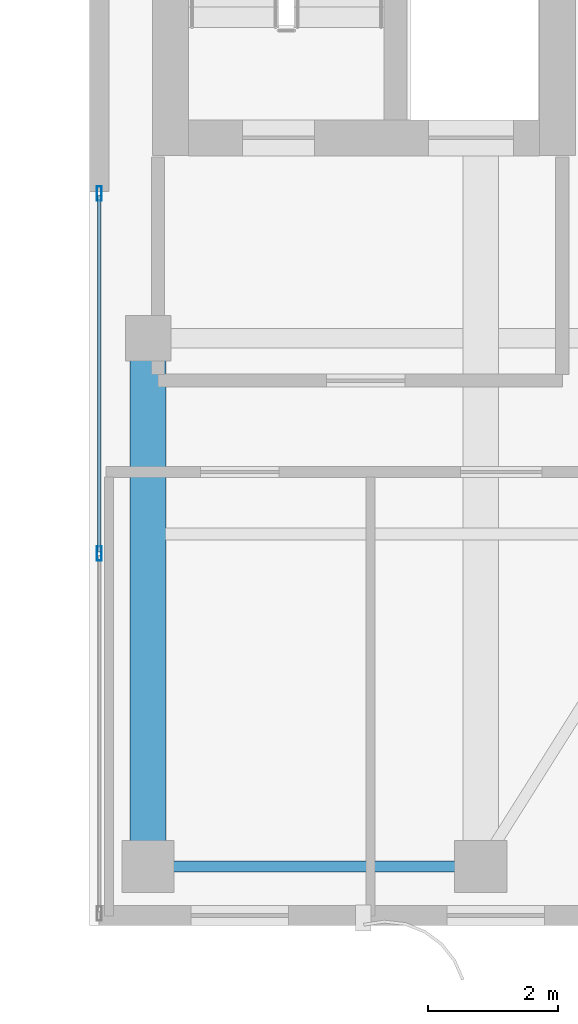
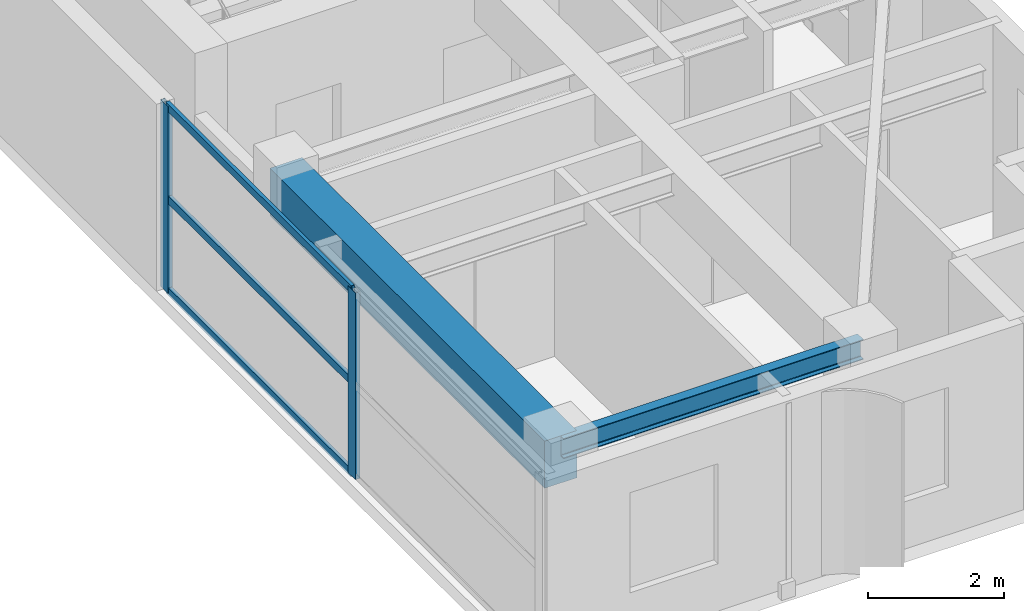
# One storey, part 5 of 24: 5 members, 2 beams, 1 element without a shape of its own.
"""IFC4 building model written with IfcOpenShell, lengths in metres."""

import ifcopenshell
import ifcopenshell.guid

model = None  # the IFC model being written
_history = None  # IfcOwnerHistory: only IFC2X3 demands one
_inside = {}  # id of a spatial element -> (the spatial element, [elements in it])
_under = {}  # id of a project, library or spatial element -> (it, [spatial elements below it])
_declared = {}  # id of a project -> (the project, [libraries it declares])
_typed = {}  # id of a type object -> (the type object, [elements of that type])
_made_of = {}  # id of a material, layer set ... -> (it, [elements and type objects made of it])


def new_model(schema):
    """Start an empty IFC model of exactly this schema.

    Asked for "IFC4X3", IfcOpenShell would pick the latest addendum, in which some entities
    have other attributes; the version numbers below select the first issue.
    IFC2X3 requires an IfcOwnerHistory on every rooted entity: one is made here for all.
    """
    global model, _history
    if schema == "IFC4X3":
        model = ifcopenshell.file(schema_version=(4, 3, 0, 0))
    else:
        model = ifcopenshell.file(schema=schema)
    _inside.clear()
    _under.clear()
    _declared.clear()
    _typed.clear()
    _made_of.clear()
    _history = None
    if model.schema == "IFC2X3":
        org = make("IfcOrganization", Name="unknown")
        user = make(
            "IfcPersonAndOrganization",
            ThePerson=make("IfcPerson", FamilyName="unknown"),
            TheOrganization=org,
        )
        app = make(
            "IfcApplication",
            ApplicationDeveloper=org,
            Version="unknown",
            ApplicationFullName="unknown",
            ApplicationIdentifier="unknown",
        )
        _history = make(
            "IfcOwnerHistory",
            OwningUser=user,
            OwningApplication=app,
            ChangeAction="ADDED",
            CreationDate=0,
        )
    return model


def make(cls, **values):
    """One entity of the class cls with the attributes given. An attribute that is None is left unset."""
    return model.create_entity(
        cls, **{name: value for name, value in values.items() if value is not None}
    )


def rooted(cls, **values):
    """An entity with a GlobalId (a new one), such as an element, a storey or a relation."""
    return make(cls, GlobalId=ifcopenshell.guid.new(), OwnerHistory=_history, **values)


def si_unit(unit_type, name, prefix=None):
    """IfcSIUnit, for example si_unit("LENGTHUNIT", "METRE", prefix="MILLI")."""
    return make("IfcSIUnit", UnitType=unit_type, Prefix=prefix, Name=name)


def assignment(units):
    """IfcUnitAssignment: the units of a project."""
    return None if units is None else make("IfcUnitAssignment", Units=units)


def point(xyz):
    """IfcCartesianPoint."""
    return None if xyz is None else make("IfcCartesianPoint", Coordinates=xyz)


def direction(xyz):
    """IfcDirection."""
    return None if xyz is None else make("IfcDirection", DirectionRatios=xyz)


def frame(location, z_axis=None, x_axis=None):
    """IfcAxis2Placement3D, a coordinate frame: its origin and axes. An axis left out is left unset."""
    return make(
        "IfcAxis2Placement3D",
        Location=point(location),
        Axis=direction(z_axis),
        RefDirection=direction(x_axis),
    )


def frame_2d(location, x_axis=None):
    """IfcAxis2Placement2D, a coordinate frame in the plane: its origin and x axis."""
    return make(
        "IfcAxis2Placement2D", Location=point(location), RefDirection=direction(x_axis)
    )


def origin():
    """The frame at (0, 0, 0) with its axes left unset."""
    return frame((0.0, 0.0, 0.0))


def origin_2d():
    """The frame at (0, 0) in the plane with its x axis left unset."""
    return frame_2d((0.0, 0.0))


def place(relative_to, where):
    """IfcLocalPlacement: puts the frame where relative to a parent placement (None: the world)."""
    return make(
        "IfcLocalPlacement", PlacementRelTo=relative_to, RelativePlacement=where
    )


def context(
    kind, dimensions, precision=None, world=None, true_north=None, identifier=None
):
    """IfcGeometricRepresentationContext, for example the 3D "Model" context."""
    return make(
        "IfcGeometricRepresentationContext",
        ContextIdentifier=identifier,
        ContextType=kind,
        CoordinateSpaceDimension=dimensions,
        Precision=precision,
        WorldCoordinateSystem=world,
        TrueNorth=true_north,
    )


def subcontext(parent, identifier, kind, view, scale=None):
    """IfcGeometricRepresentationSubContext, for example "Body" below "Model"."""
    return make(
        "IfcGeometricRepresentationSubContext",
        ContextIdentifier=identifier,
        ContextType=kind,
        ParentContext=parent,
        TargetScale=scale,
        TargetView=view,
    )


def project(units=None, contexts=None):
    """IfcProject with its units and contexts."""
    return rooted(
        "IfcProject",
        Name="project",
        RepresentationContexts=contexts,
        UnitsInContext=assignment(units),
    )


def spatial(cls, under=None, at=None, **own):
    """A site, building, storey or space (cls), placed at a placement, below another one or the project."""
    s = rooted(cls, ObjectPlacement=at, **own)
    if under is not None:
        _under.setdefault(under.id(), (under, []))[1].append(s)
    return s


def profile(cls, at=None, kind="AREA", **sizes):
    """A parametric profile (cls). Its sizes go by their IFC names, for example OverallWidth=200.0."""
    return make(cls, ProfileType=kind, Position=at, **sizes)


def rectangle(**sizes):
    """IfcRectangleProfileDef."""
    return profile("IfcRectangleProfileDef", **sizes)


def hollow_rectangle(**sizes):
    """IfcRectangleHollowProfileDef."""
    return profile("IfcRectangleHollowProfileDef", **sizes)


def i_section(**sizes):
    """IfcIShapeProfileDef."""
    return profile("IfcIShapeProfileDef", **sizes)


def extrude(swept, where, along, depth):
    """IfcExtrudedAreaSolid: the profile swept, set in the frame where, extruded along a direction by depth."""
    return make(
        "IfcExtrudedAreaSolid",
        SweptArea=swept,
        Position=where,
        ExtrudedDirection=direction(along),
        Depth=depth,
    )


def shape(context_of_items, identifier, shape_type, items):
    """IfcShapeRepresentation: the items that make up one representation, for example the "Body"."""
    return make(
        "IfcShapeRepresentation",
        ContextOfItems=context_of_items,
        RepresentationIdentifier=identifier,
        RepresentationType=shape_type,
        Items=items,
    )


def source(mapping_origin, context_of_items, identifier, shape_type, items):
    """IfcRepresentationMap: a shape defined once, which mapped items show again and again."""
    return make(
        "IfcRepresentationMap",
        MappingOrigin=mapping_origin,
        MappedRepresentation=shape(context_of_items, identifier, shape_type, items),
    )


def transform(
    local_origin,
    x_axis=None,
    y_axis=None,
    z_axis=None,
    scale=None,
    scale2=None,
    scale3=None,
    uniform=True,
):
    """IfcCartesianTransformationOperator3D, or its non-uniform kind. x_axis, y_axis, z_axis: its Axis1, 2, 3."""
    if uniform:
        return make(
            "IfcCartesianTransformationOperator3D",
            Axis1=direction(x_axis),
            Axis2=direction(y_axis),
            LocalOrigin=point(local_origin),
            Scale=scale,
            Axis3=direction(z_axis),
        )
    return make(
        "IfcCartesianTransformationOperator3DnonUniform",
        Axis1=direction(x_axis),
        Axis2=direction(y_axis),
        LocalOrigin=point(local_origin),
        Scale=scale,
        Axis3=direction(z_axis),
        Scale2=scale2,
        Scale3=scale3,
    )


def mapped(mapping_source, mapping_target):
    """IfcMappedItem: shows the shape of a source again, moved by a transform."""
    return make(
        "IfcMappedItem", MappingSource=mapping_source, MappingTarget=mapping_target
    )


def material(Name=None, Category=None):
    """IfcMaterial."""
    return make("IfcMaterial", Name=Name, Category=Category)


def layer(
    of_material, thickness, ventilated=None, Name=None, Category=None, Priority=None
):
    """IfcMaterialLayer: one layer of a wall or slab, of a material (None: an air gap)."""
    return make(
        "IfcMaterialLayer",
        Material=of_material,
        LayerThickness=thickness,
        IsVentilated=ventilated,
        Name=Name,
        Category=Category,
        Priority=Priority,
    )


def layer_set(layers, Name=None):
    """IfcMaterialLayerSet."""
    return make("IfcMaterialLayerSet", MaterialLayers=layers, LayerSetName=Name)


def material_profile(
    of_material, cross_section, Name=None, Category=None, Priority=None
):
    """IfcMaterialProfile: a cross section and its material."""
    return make(
        "IfcMaterialProfile",
        Name=Name,
        Material=of_material,
        Profile=cross_section,
        Priority=Priority,
        Category=Category,
    )


def profile_set(profiles, Name=None, composite=None):
    """IfcMaterialProfileSet."""
    return make(
        "IfcMaterialProfileSet",
        Name=Name,
        MaterialProfiles=profiles,
        CompositeProfile=composite,
    )


def made_of(thing, what):
    """Note that an element or type object is made of a material, layer set ...; save() writes the relation."""
    if what is not None:
        _made_of.setdefault(what.id(), (what, []))[1].append(thing)
    return thing


def type_object(cls, material=None, **own):
    """A type object (cls), such as IfcWallType, which elements share."""
    return made_of(rooted(cls, **own), material)


def element(
    cls,
    number,
    at=None,
    inside=None,
    cuts=None,
    type_object=None,
    material=None,
    context=None,
    identifier="Body",
    shape_type=None,
    held_by="IfcProductDefinitionShape",
    body=None,
    shapes=None,
    **own,
):
    """One element of the class cls, such as IfcWall. Its Tag is "e" and its number.

    at: its placement. inside: the storey or other place that contains it. cuts: it is an
    opening in that element (IfcRelVoidsElement). A single representation is given by context,
    identifier, shape_type and body (its items); several are given by shapes. held_by: the class
    of the entity that holds the representations. save() writes the other relations.
    """
    e = rooted(cls, Tag="e%d" % number, ObjectPlacement=at, **own)
    if body is not None:
        shapes = [shape(context, identifier, shape_type, body)]
    if shapes is not None:
        e.Representation = make(held_by, Representations=shapes)
    if inside is not None:
        _inside.setdefault(inside.id(), (inside, []))[1].append(e)
    if cuts is not None:
        rooted(
            "IfcRelVoidsElement", RelatingBuildingElement=cuts, RelatedOpeningElement=e
        )
    if type_object is not None:
        _typed.setdefault(type_object.id(), (type_object, []))[1].append(e)
    return made_of(e, material)


def aggregate(whole, parts):
    """IfcRelAggregates: a whole, such as a stair, and the parts it consists of."""
    return rooted("IfcRelAggregates", RelatingObject=whole, RelatedObjects=parts)


def save(model, path):
    """Write the relations noted so far, then the file.

    IfcRelAggregates (storeys below a building ...), IfcRelContainedInSpatialStructure (elements
    in a storey), IfcRelDefinesByType, IfcRelAssociatesMaterial and IfcRelDeclares: one each for
    every whole, place, type object, material and project.
    """
    for whole, parts in _under.values():
        aggregate(whole, parts)
    for where, things in _inside.values():
        rooted(
            "IfcRelContainedInSpatialStructure",
            RelatedElements=things,
            RelatingStructure=where,
        )
    for kind, things in _typed.values():
        rooted("IfcRelDefinesByType", RelatedObjects=things, RelatingType=kind)
    for what, things in _made_of.values():
        rooted("IfcRelAssociatesMaterial", RelatedObjects=things, RelatingMaterial=what)
    for by, libraries in _declared.values():
        rooted("IfcRelDeclares", RelatingContext=by, RelatedDefinitions=libraries)
    model.write(path)


model = new_model("IFC4")

# Units and contexts
model_context = context("Model", 3, precision=1e-05, world=origin(), true_north=direction((0.0, 1.0)))
body_context = subcontext(model_context, "Body", "Model", "MODEL_VIEW")
ifc_project = project(units=[si_unit("LENGTHUNIT", "METRE"), si_unit("AREAUNIT", "SQUARE_METRE"), si_unit("VOLUMEUNIT", "CUBIC_METRE"), si_unit("PLANEANGLEUNIT", "RADIAN"), si_unit("MASSUNIT", "GRAM", prefix="KILO")], contexts=[model_context])

# Site, building, storey
site_placement = place(None, origin())
site = spatial("IfcSite", under=ifc_project, at=site_placement, CompositionType="ELEMENT")
building_placement = place(site_placement, origin())
building = spatial("IfcBuilding", under=site, at=building_placement, Name="Khoralis Quay Care Tower", CompositionType="ELEMENT")
storey_placement = place(building_placement, frame((0.0, 0.0, 249.300048828125)))
storey = spatial("IfcBuildingStorey", under=building, at=storey_placement, Name="L65", CompositionType="ELEMENT", Elevation=249.300048828125)

# Beams
ifc_material_1 = material(Name="Steel S355", Category="steel")
ifc_material_profile_1 = material_profile(ifc_material_1, i_section(OverallWidth=0.169921875, OverallDepth=0.360107421875, WebThickness=0.008056640625, FlangeThickness=0.0126953125, FilletRadius=0.01806640625, at=origin_2d()), Name="Steel S355")
ifc_profile_set_1 = profile_set([ifc_material_profile_1], Name="Steel S355")
beam_type_1 = type_object("IfcBeamType", Name="BM-IPE360", PredefinedType="SPANDREL", material=ifc_profile_set_1)
shared_shape_1 = source(origin(), body_context, "Body", "SweptSolid", [
    extrude(i_section(OverallWidth=0.169921875, OverallDepth=0.360107421875, WebThickness=0.008056640625, FlangeThickness=0.0126953125, FilletRadius=0.01806640625, at=origin_2d()), origin(), (0.0, 0.0, 1.0), 5.10009765625),
])
beam_1_placement = place(storey_placement, frame((30.89990234375, 3.89990234375, 3.179931640625), z_axis=(1.0, 0.0, 0.0), x_axis=(0.0, 1.0, 0.0)))
element("IfcBeam", 1, at=beam_1_placement, inside=storey, type_object=beam_type_1, Name="BM-TSP-L65-02", PredefinedType="SPANDREL", context=body_context, shape_type="MappedRepresentation", body=[
    mapped(shared_shape_1, transform((0.0, 0.0, 0.0), scale=1.0)),
])
ifc_material_2 = material(Name="Concrete C50/60", Category="concrete")
ifc_material_profile_2 = material_profile(ifc_material_2, rectangle(XDim=0.550048828125, YDim=0.85009765625, at=origin_2d()), Name="Concrete C50/60")
ifc_profile_set_2 = profile_set([ifc_material_profile_2], Name="Concrete C50/60")
beam_type_2 = type_object("IfcBeamType", Name="BM-RC550X850", PredefinedType="BEAM", material=ifc_profile_set_2)
shared_shape_2 = source(origin(), body_context, "Body", "SweptSolid", [
    extrude(rectangle(XDim=0.550048828125, YDim=0.85009765625, at=origin_2d()), origin(), (0.0, 0.0, 1.0), 8.10009765625),
])
beam_2_placement = place(storey_placement, frame((30.89990234375, 3.89990234375, 2.93505859375), z_axis=(0.0, 1.0, 0.0), x_axis=(-1.0, 0.0, 0.0)))
element("IfcBeam", 2, at=beam_2_placement, inside=storey, type_object=beam_type_2, Name="BM-TGYS-L65-309", PredefinedType="BEAM", context=body_context, shape_type="MappedRepresentation", body=[
    mapped(shared_shape_2, transform((0.0, 0.0, 0.0), scale=1.0)),
])

# Curtain wall, members
ifc_material_3 = material(Name="Pale anodised aluminium", Category="aluminium")
ifc_layer = layer(ifc_material_3, 0.18994140625)
ifc_layer_set = layer_set([ifc_layer], Name="Pale anodised aluminium")
curtain_wall_type = type_object("IfcCurtainWallType", Name="CW-SYS-PORTAL", PredefinedType="NOTDEFINED", material=ifc_layer_set)
curtain_wall_placement = place(storey_placement, origin())
curtain_wall = element("IfcCurtainWall", 3, at=curtain_wall_placement, inside=storey, type_object=curtain_wall_type, Name="L65 Unitised Curtain Wall CW-VP-L65-P2-S", PredefinedType="NOTDEFINED")
ifc_material_profile_3 = material_profile(ifc_material_3, hollow_rectangle(XDim=0.06005859375, YDim=0.139892578125, WallThickness=0.00390625, at=origin_2d()), Name="Pale anodised aluminium")
ifc_profile_set_3 = profile_set([ifc_material_profile_3], Name="Pale anodised aluminium")
member_type_1 = type_object("IfcMemberType", Name="CW-TRN-140", PredefinedType="USERDEFINED", material=ifc_profile_set_3)
shared_shape_3 = source(origin(), body_context, "Body", "SweptSolid", [
    extrude(hollow_rectangle(XDim=0.06005859375, YDim=0.139892578125, WallThickness=0.00390625, at=origin_2d()), origin(), (0.0, 0.0, 1.0), 5.4599609375),
])
member_1_placement = place(storey_placement, frame((30.14990234375, 8.72998046875, 0.030029296875), z_axis=(0.0, 1.0, 0.0), x_axis=(-1.0, 0.0, 0.0)))
member_1 = element("IfcMember", 4, at=member_1_placement, type_object=member_type_1, Name="CW4 transom 2.1", ObjectType="TRANSOM", PredefinedType="USERDEFINED", context=body_context, shape_type="MappedRepresentation", body=[
    mapped(shared_shape_3, transform((0.0, 0.0, 0.0), scale=1.0)),
])
member_2_placement = place(storey_placement, frame((30.14990234375, 8.72998046875, 1.679931640625), z_axis=(0.0, 1.0, 0.0), x_axis=(-1.0, 0.0, 0.0)))
member_2 = element("IfcMember", 5, at=member_2_placement, type_object=member_type_1, Name="CW4 transom 2.2", ObjectType="TRANSOM", PredefinedType="USERDEFINED", context=body_context, shape_type="MappedRepresentation", body=[
    mapped(shared_shape_3, transform((0.0, 0.0, 0.0), scale=1.0)),
])
member_3_placement = place(storey_placement, frame((30.14990234375, 8.72998046875, 3.329833984375), z_axis=(0.0, 1.0, 0.0), x_axis=(-1.0, 0.0, 0.0)))
member_3 = element("IfcMember", 6, at=member_3_placement, type_object=member_type_1, Name="CW4 transom 2.3", ObjectType="TRANSOM", PredefinedType="USERDEFINED", context=body_context, shape_type="MappedRepresentation", body=[
    mapped(shared_shape_3, transform((0.0, 0.0, 0.0), scale=1.0)),
])
ifc_material_profile_4 = material_profile(ifc_material_3, hollow_rectangle(XDim=0.074951171875, YDim=0.219970703125, WallThickness=0.00390625, at=origin_2d()), Name="Pale anodised aluminium")
ifc_profile_set_4 = profile_set([ifc_material_profile_4], Name="Pale anodised aluminium")
member_type_2 = type_object("IfcMemberType", Name="CW-MUL-220", PredefinedType="MULLION", material=ifc_profile_set_4)
shared_shape_4 = source(origin(), body_context, "Body", "SweptSolid", [
    extrude(hollow_rectangle(XDim=0.074951171875, YDim=0.219970703125, WallThickness=0.00390625, at=origin_2d()), origin(), (0.0, 0.0, 1.0), 3.35986328125),
])
member_4_placement = place(storey_placement, frame((30.14990234375, 8.699951171875, 0.0), z_axis=(0.0, 0.0, 1.0), x_axis=(-1.0, 0.0, 0.0)))
member_4 = element("IfcMember", 7, at=member_4_placement, type_object=member_type_2, Name="CW4 mullion 2", PredefinedType="MULLION", context=body_context, shape_type="MappedRepresentation", body=[
    mapped(shared_shape_4, transform((0.0, 0.0, 0.0), scale=1.0)),
])
member_5_placement = place(storey_placement, frame((30.14990234375, 14.219970703125, 0.0), z_axis=(0.0, 0.0, 1.0), x_axis=(-1.0, 0.0, 0.0)))
member_5 = element("IfcMember", 8, at=member_5_placement, type_object=member_type_2, Name="CW4 mullion 3", PredefinedType="MULLION", context=body_context, shape_type="MappedRepresentation", body=[
    mapped(shared_shape_4, transform((0.0, 0.0, 0.0), scale=1.0)),
])
aggregate(curtain_wall, [member_4, member_5, member_1, member_2, member_3])

save(model, "model.ifc")
